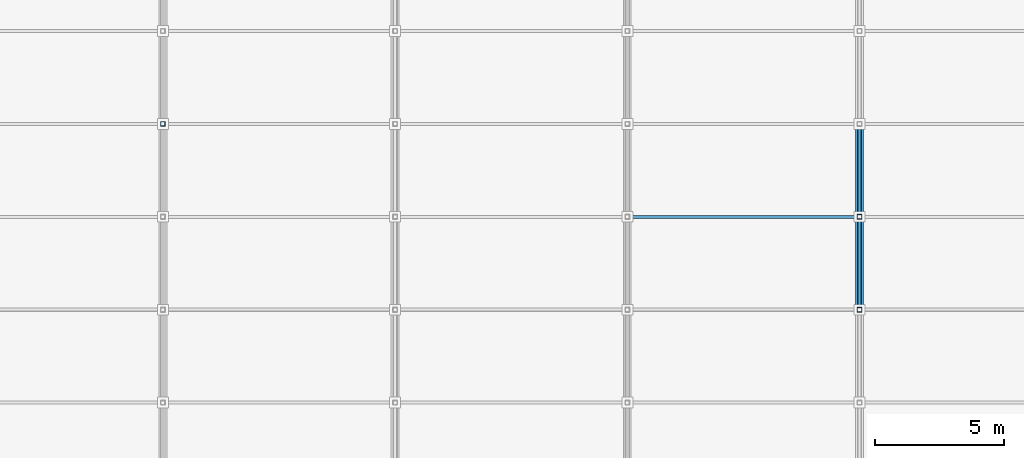
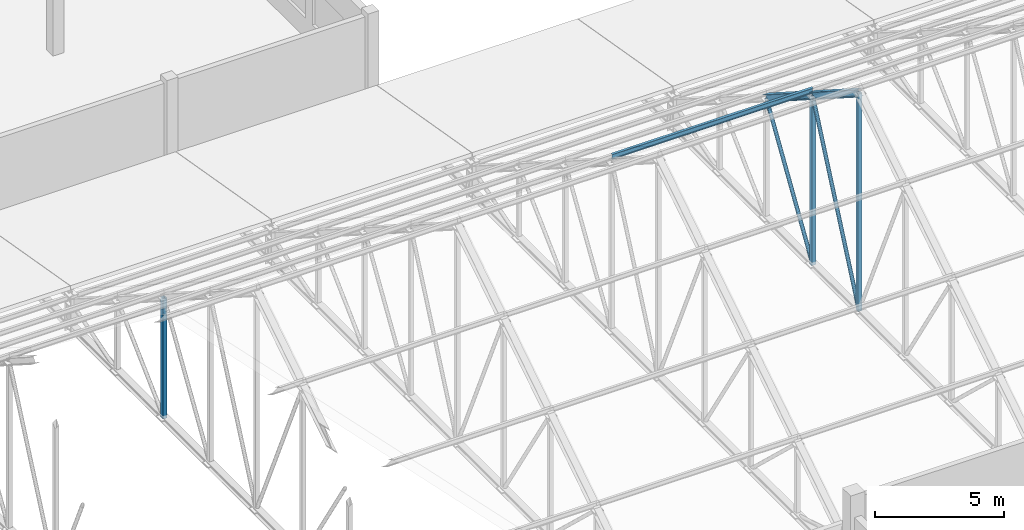
# One storey, part 112 of 182: 8 members.
"""IFC4 building model written with IfcOpenShell, lengths in metres."""

from ifc_helpers import new_model, si_unit, direction, frame, origin, origin_2d, place, context, subcontext, project, spatial, hollow_rectangle, hollow_circle, i_section, extrude, material, material_profile, profile_set, type_object, element, save


model = new_model("IFC4")

# Units and contexts
model_context = context("Model", 3, precision=1e-05, world=origin(), true_north=direction((0.0, 1.0)))
body_context = subcontext(model_context, "Body", "Model", "MODEL_VIEW")
ifc_project = project(units=[si_unit("LENGTHUNIT", "METRE"), si_unit("AREAUNIT", "SQUARE_METRE"), si_unit("VOLUMEUNIT", "CUBIC_METRE"), si_unit("PLANEANGLEUNIT", "RADIAN"), si_unit("MASSUNIT", "GRAM", prefix="KILO")], contexts=[model_context])

# Site, building, storey
site_placement = place(None, origin())
site = spatial("IfcSite", under=ifc_project, at=site_placement, CompositionType="ELEMENT")
building_placement = place(site_placement, origin())
building = spatial("IfcBuilding", under=site, at=building_placement, Name="Chiffa Square Polytechnic", CompositionType="ELEMENT")
storey_placement = place(building_placement, frame((0.0, 0.0, 9.60009765625)))
storey = spatial("IfcBuildingStorey", under=building, at=storey_placement, Name="L02", CompositionType="ELEMENT", Elevation=9.60009765625)

# Members
ifc_material = material(Name="Steel S355", Category="steel")
ifc_material_profile_1 = material_profile(ifc_material, i_section(OverallWidth=0.300048828125, OverallDepth=0.31005859375, WebThickness=0.009033203125, FlangeThickness=0.015380859375, FilletRadius=0.027099609375, at=origin_2d()), Name="HEA 320")
ifc_profile_set_1 = profile_set([ifc_material_profile_1], Name="Steel S355")
member_type_1 = type_object("IfcMemberType", Name="MEM-CHORD-HEA320", PredefinedType="CHORD", material=ifc_profile_set_1)
member_1_placement = place(storey_placement, frame((157.199951171875, 72.60009765625, 10.64990234375), z_axis=(0.0, 0.842681134223, -0.538412951205), x_axis=(-1.0, 0.0, 0.0)))
element("IfcMember", 1, at=member_1_placement, inside=storey, type_object=member_type_1, Name="Workshop roof truss top chord TCT-V2-06-05", PredefinedType="CHORD", context=body_context, shape_type="SweptSolid", body=[
    extrude(i_section(OverallWidth=0.300048828125, OverallDepth=0.31005859375, WebThickness=0.009033203125, FlangeThickness=0.015380859375, FilletRadius=0.027099609375, at=origin_2d()), origin(), (0.0, 0.0, 1.0), 4.27197265625),
])
member_2_placement = place(storey_placement, frame((157.199951171875, 76.199951171875, 8.349853515625), z_axis=(0.0, 0.84269770024, -0.538387022512), x_axis=(-1.0, 0.0, 0.0)))
element("IfcMember", 2, at=member_2_placement, inside=storey, type_object=member_type_1, Name="Workshop roof truss top chord TCT-V2-06-06", PredefinedType="CHORD", context=body_context, shape_type="SweptSolid", body=[
    extrude(i_section(OverallWidth=0.300048828125, OverallDepth=0.31005859375, WebThickness=0.009033203125, FlangeThickness=0.015380859375, FilletRadius=0.027099609375, at=origin_2d()), origin(), (0.0, 0.0, 1.0), 4.272216796875),
])
ifc_material_profile_2 = material_profile(ifc_material, i_section(OverallWidth=0.1201171875, OverallDepth=0.239990234375, WebThickness=0.006103515625, FlangeThickness=0.009765625, FilletRadius=0.014892578125, at=origin_2d()), Name="IPE 240")
ifc_profile_set_2 = profile_set([ifc_material_profile_2], Name="Steel S355")
member_type_2 = type_object("IfcMemberType", Name="MEM-PUR-IPE240", PredefinedType="PURLIN", material=ifc_profile_set_2)
member_3_placement = place(storey_placement, frame((148.199951171875, 76.199951171875, 8.599853515625), z_axis=(1.0, 0.0, 0.0), x_axis=(0.0, 1.0, 0.0)))
element("IfcMember", 3, at=member_3_placement, inside=storey, type_object=member_type_2, Name="Workshop steel roof purlin PU-V2-05-06", PredefinedType="PURLIN", context=body_context, shape_type="SweptSolid", body=[
    extrude(i_section(OverallWidth=0.1201171875, OverallDepth=0.239990234375, WebThickness=0.006103515625, FlangeThickness=0.009765625, FilletRadius=0.014892578125, at=origin_2d()), origin(), (0.0, 0.0, 1.0), 9.0),
])
ifc_material_profile_3 = material_profile(ifc_material, hollow_circle(Radius=0.084228515625, WallThickness=0.010009765625, at=origin_2d()), Name="CHS 168.3x10")
ifc_profile_set_3 = profile_set([ifc_material_profile_3], Name="Steel S355")
member_type_3 = type_object("IfcMemberType", Name="MEM-WEB-CHS168", PredefinedType="MEMBER", material=ifc_profile_set_3)
member_4_placement = place(storey_placement, frame((157.199951171875, 72.60009765625, 0.349853515625), z_axis=(0.0, 0.410350791297, 0.911927753762), x_axis=(-1.0, 0.0, 0.0)))
element("IfcMember", 4, at=member_4_placement, inside=storey, type_object=member_type_3, Name="Workshop roof truss diagonal TWD-V2-06-05", PredefinedType="MEMBER", context=body_context, shape_type="SweptSolid", body=[
    extrude(hollow_circle(Radius=0.084228515625, WallThickness=0.010009765625, at=origin_2d()), origin(), (0.0, 0.0, 1.0), 8.772705078125),
])
member_5_placement = place(storey_placement, frame((157.199951171875, 76.199951171875, 0.349853515625), z_axis=(0.0, 0.53400661626, 0.845480297695), x_axis=(-1.0, 0.0, 0.0)))
element("IfcMember", 5, at=member_5_placement, inside=storey, type_object=member_type_3, Name="Workshop roof truss diagonal TWD-V2-06-06", PredefinedType="MEMBER", context=body_context, shape_type="SweptSolid", body=[
    extrude(hollow_circle(Radius=0.084228515625, WallThickness=0.010009765625, at=origin_2d()), origin(), (0.0, 0.0, 1.0), 6.74169921875),
])
ifc_material_profile_4 = material_profile(ifc_material, hollow_rectangle(XDim=0.179931640625, YDim=0.179931640625, WallThickness=0.010009765625, at=origin_2d()), Name="RHS 180x180x10")
ifc_profile_set_4 = profile_set([ifc_material_profile_4], Name="Steel S355")
member_type_4 = type_object("IfcMemberType", Name="MEM-WEB-RHS180", PredefinedType="MEMBER", material=ifc_profile_set_4)
member_6_placement = place(storey_placement, frame((130.199951171875, 79.800048828125, 0.349853515625), z_axis=(0.0, 0.0, 1.0), x_axis=(1.0, 0.0, 0.0)))
element("IfcMember", 6, at=member_6_placement, inside=storey, type_object=member_type_4, Name="Workshop roof truss vertical TWV-V2-03-07", PredefinedType="MEMBER", context=body_context, shape_type="SweptSolid", body=[
    extrude(hollow_rectangle(XDim=0.179931640625, YDim=0.179931640625, WallThickness=0.010009765625, at=origin_2d()), origin(), (0.0, 0.0, 1.0), 5.699951171875),
])
member_7_placement = place(storey_placement, frame((157.199951171875, 72.60009765625, 0.349853515625), z_axis=(0.0, 0.0, 1.0), x_axis=(1.0, 0.0, 0.0)))
element("IfcMember", 7, at=member_7_placement, inside=storey, type_object=member_type_4, Name="Workshop roof truss vertical TWV-V2-06-05", PredefinedType="MEMBER", context=body_context, shape_type="SweptSolid", body=[
    extrude(hollow_rectangle(XDim=0.179931640625, YDim=0.179931640625, WallThickness=0.010009765625, at=origin_2d()), origin(), (0.0, 0.0, 1.0), 10.300048828125),
])
member_8_placement = place(storey_placement, frame((157.199951171875, 76.199951171875, 0.349853515625), z_axis=(0.0, 0.0, 1.0), x_axis=(1.0, 0.0, 0.0)))
element("IfcMember", 8, at=member_8_placement, inside=storey, type_object=member_type_4, Name="Workshop roof truss vertical TWV-V2-06-06", PredefinedType="MEMBER", context=body_context, shape_type="SweptSolid", body=[
    extrude(hollow_rectangle(XDim=0.179931640625, YDim=0.179931640625, WallThickness=0.010009765625, at=origin_2d()), origin(), (0.0, 0.0, 1.0), 8.0),
])

save(model, "model.ifc")
